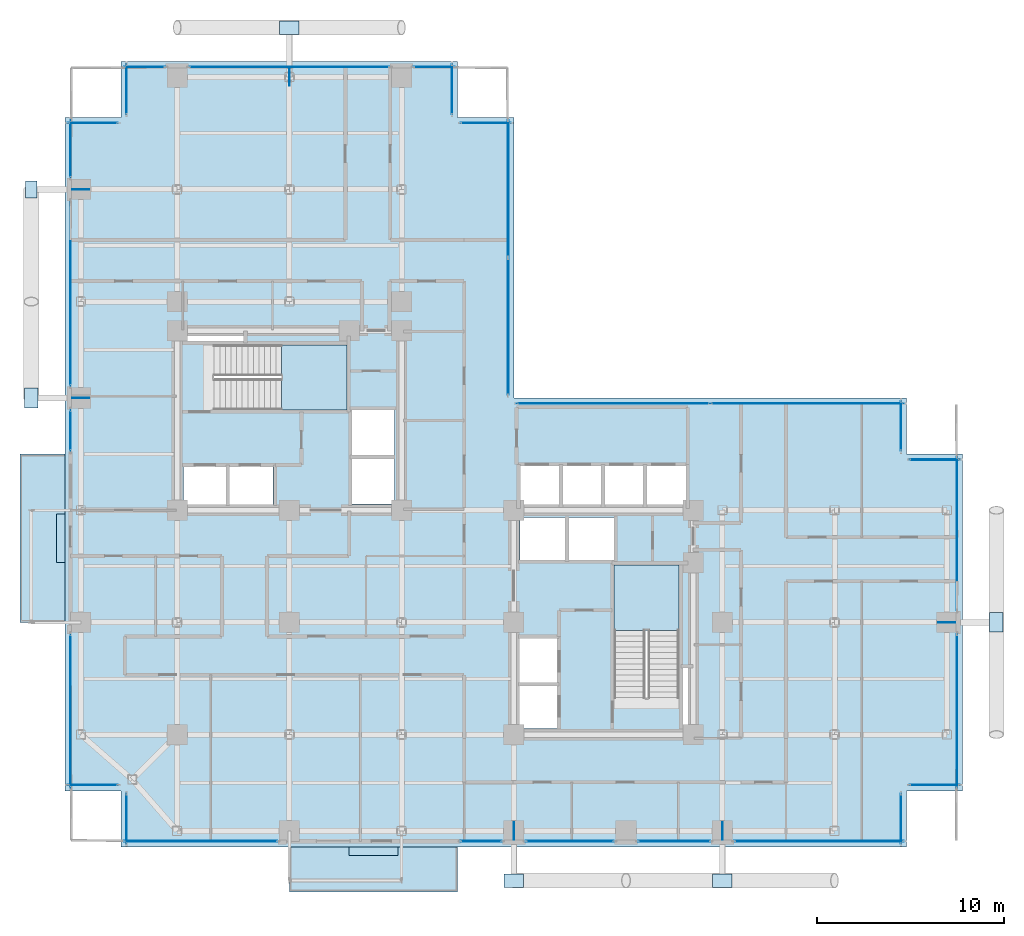
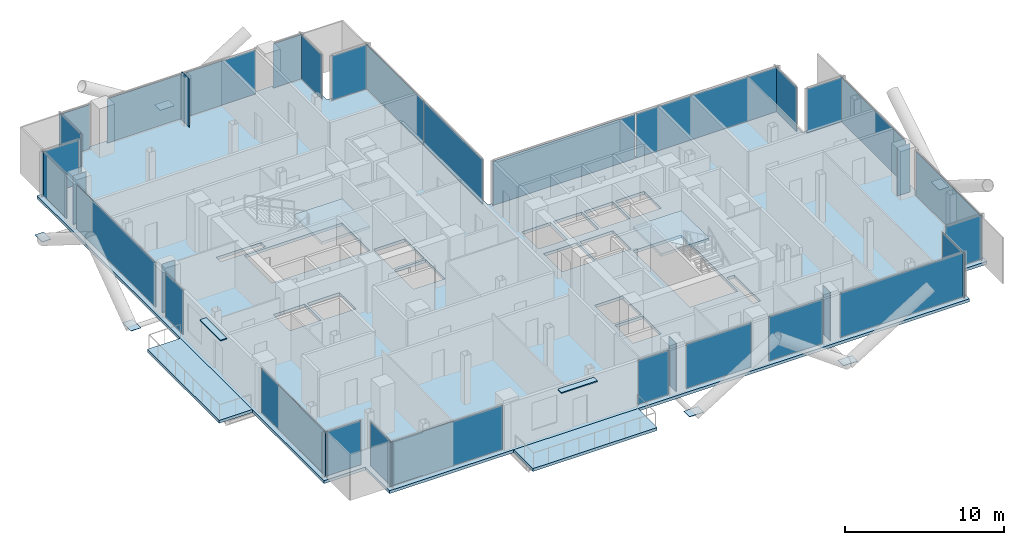
# One storey, part 17 of 24: 42 plates, 5 slabs, 28 elements without a shape of their own.
"""IFC4 building model written with IfcOpenShell, lengths in metres."""

from ifc_helpers import new_model, si_unit, direction, frame, origin, origin_2d, place, context, subcontext, project, spatial, polyline, rectangle, outline, extrude, material, layer, layer_set, type_object, element, aggregate, save


model = new_model("IFC4")

# Units and contexts
model_context = context("Model", 3, precision=1e-05, world=origin(), true_north=direction((0.0, 1.0)))
body_context = subcontext(model_context, "Body", "Model", "MODEL_VIEW")
ifc_project = project(units=[si_unit("LENGTHUNIT", "METRE"), si_unit("AREAUNIT", "SQUARE_METRE"), si_unit("VOLUMEUNIT", "CUBIC_METRE"), si_unit("PLANEANGLEUNIT", "RADIAN"), si_unit("MASSUNIT", "GRAM", prefix="KILO"), si_unit("THERMODYNAMICTEMPERATUREUNIT", "KELVIN"), si_unit("POWERUNIT", "WATT")], contexts=[model_context])

# Site, building, storey
site_placement = place(None, origin())
site = spatial("IfcSite", under=ifc_project, at=site_placement, CompositionType="ELEMENT")
building_placement = place(site_placement, origin())
building = spatial("IfcBuilding", under=site, at=building_placement, Name="Svarakhadi Broadcast Tower", CompositionType="ELEMENT")
storey_placement = place(building_placement, frame((0.0, 0.0, 145.64990234375)))
storey = spatial("IfcBuildingStorey", under=building, at=storey_placement, Name="L35", CompositionType="ELEMENT", Elevation=145.64990234375)

# Curtain wall, plate
ifc_material_1 = material(Name="Anodised Bronze Aluminium AA 6063-T6", Category="aluminium")
ifc_layer_1 = layer(ifc_material_1, 0.199951171875)
ifc_layer_set_1 = layer_set([ifc_layer_1], Name="Anodised Bronze Aluminium AA 6063-T6")
curtain_wall_type = type_object("IfcCurtainWallType", Name="CW_Sys_03", PredefinedType="NOTDEFINED", material=ifc_layer_set_1)
curtain_wall_1_placement = place(storey_placement, origin())
curtain_wall_1 = element("IfcCurtainWall", 1, at=curtain_wall_1_placement, inside=storey, type_object=curtain_wall_type, Name="L35 Unitised Facade Curtain Wall 01", PredefinedType="NOTDEFINED")
ifc_material_2 = material(Name="Double Low-E Laminated Acoustic Glass IGU 36 mm", Category="glass")
ifc_layer_2 = layer(ifc_material_2, 0.035888671875)
ifc_layer_set_2 = layer_set([ifc_layer_2], Name="Double Low-E Laminated Acoustic Glass IGU 36 mm")
plate_type_1 = type_object("IfcPlateType", Name="CW_Sys_03_Pnl", PredefinedType="CURTAIN_PANEL", material=ifc_layer_set_2)
plate_1_placement = place(storey_placement, frame((1.5, 3.300048828125, 0.0703125), z_axis=(0.0, 0.0, 1.0), x_axis=(-1.0, 0.0, 0.0)))
plate_1 = element("IfcPlate", 2, at=plate_1_placement, type_object=plate_type_1, Name="CW-03 panel 1.1", PredefinedType="CURTAIN_PANEL", context=body_context, shape_type="SweptSolid", body=[
    extrude(rectangle(XDim=2.669921875, YDim=0.035888671875, at=origin_2d()), origin(), (0.0, 0.0, 1.0), 3.385009765625),
])
aggregate(curtain_wall_1, [plate_1])

curtain_wall_2_placement = place(storey_placement, origin())
curtain_wall_2 = element("IfcCurtainWall", 3, at=curtain_wall_2_placement, inside=storey, type_object=curtain_wall_type, Name="L35 West Curtain Wall 02", PredefinedType="NOTDEFINED")
plate_2_placement = place(storey_placement, frame((0.300048828125, 7.260009765625, 0.0703125), z_axis=(0.0, 0.0, 1.0), x_axis=(0.0, 1.0, 0.0)))
plate_2 = element("IfcPlate", 4, at=plate_2_placement, type_object=plate_type_1, Name="CW-03 panel 1.1", PredefinedType="CURTAIN_PANEL", context=body_context, shape_type="SweptSolid", body=[
    extrude(rectangle(XDim=8.18994140625, YDim=0.035888671875, at=origin_2d()), origin(), (0.0, 0.0, 1.0), 3.385009765625),
])
aggregate(curtain_wall_2, [plate_2])

curtain_wall_3_placement = place(storey_placement, origin())
curtain_wall_3 = element("IfcCurtainWall", 5, at=curtain_wall_3_placement, inside=storey, type_object=curtain_wall_type, Name="L35 West Curtain Wall 03 Bay 1", PredefinedType="NOTDEFINED")
plate_3_placement = place(storey_placement, frame((0.300048828125, 22.260009765625, 0.0703125), z_axis=(0.0, 0.0, 1.0), x_axis=(0.0, 1.0, 0.0)))
plate_3 = element("IfcPlate", 6, at=plate_3_placement, type_object=plate_type_1, Name="CW-03 panel 1.1", PredefinedType="CURTAIN_PANEL", context=body_context, shape_type="SweptSolid", body=[
    extrude(rectangle(XDim=2.18994140625, YDim=0.035888671875, at=origin_2d()), origin(), (0.0, 0.0, 1.0), 3.385009765625),
])
aggregate(curtain_wall_3, [plate_3])

curtain_wall_4_placement = place(storey_placement, origin())
curtain_wall_4 = element("IfcCurtainWall", 7, at=curtain_wall_4_placement, inside=storey, type_object=curtain_wall_type, Name="L35 West Curtain Wall 03 Bay 2", PredefinedType="NOTDEFINED")
plate_4_placement = place(storey_placement, frame((0.300048828125, 29.574951171875, 0.0703125), z_axis=(0.0, 0.0, 1.0), x_axis=(0.0, 1.0, 0.0)))
plate_4 = element("IfcPlate", 8, at=plate_4_placement, type_object=plate_type_1, Name="CW-03 panel 1.1", PredefinedType="CURTAIN_PANEL", context=body_context, shape_type="SweptSolid", body=[
    extrude(rectangle(XDim=9.860107421875, YDim=0.035888671875, at=origin_2d()), origin(), (0.0, 0.0, 1.0), 3.385009765625),
])
aggregate(curtain_wall_4, [plate_4])

curtain_wall_5_placement = place(storey_placement, origin())
curtain_wall_5 = element("IfcCurtainWall", 9, at=curtain_wall_5_placement, inside=storey, type_object=curtain_wall_type, Name="L35 West Curtain Wall 03 Bay 3", PredefinedType="NOTDEFINED")
plate_5_placement = place(storey_placement, frame((0.300048828125, 37.31494140625, 0.0703125), z_axis=(0.0, 0.0, 1.0), x_axis=(0.0, 1.0, 0.0)))
plate_5 = element("IfcPlate", 10, at=plate_5_placement, type_object=plate_type_1, Name="CW-03 panel 1.1", PredefinedType="CURTAIN_PANEL", context=body_context, shape_type="SweptSolid", body=[
    extrude(rectangle(XDim=3.0400390625, YDim=0.035888671875, at=origin_2d()), origin(), (0.0, 0.0, 1.0), 3.385009765625),
])
aggregate(curtain_wall_5, [plate_5])

curtain_wall_6_placement = place(storey_placement, origin())
curtain_wall_6 = element("IfcCurtainWall", 11, at=curtain_wall_6_placement, inside=storey, type_object=curtain_wall_type, Name="L35 Unitised Facade Curtain Wall 04", PredefinedType="NOTDEFINED")
plate_6_placement = place(storey_placement, frame((1.5, 38.699951171875, 0.0703125), z_axis=(0.0, 0.0, 1.0), x_axis=(1.0, 0.0, 0.0)))
plate_6 = element("IfcPlate", 12, at=plate_6_placement, type_object=plate_type_1, Name="CW-03 panel 1.1", PredefinedType="CURTAIN_PANEL", context=body_context, shape_type="SweptSolid", body=[
    extrude(rectangle(XDim=2.669921875, YDim=0.035888671875, at=origin_2d()), origin(), (0.0, 0.0, 1.0), 3.385009765625),
])
aggregate(curtain_wall_6, [plate_6])

curtain_wall_7_placement = place(storey_placement, origin())
curtain_wall_7 = element("IfcCurtainWall", 13, at=curtain_wall_7_placement, inside=storey, type_object=curtain_wall_type, Name="L35 Unitised Facade Curtain Wall 05", PredefinedType="NOTDEFINED")
plate_7_placement = place(storey_placement, frame((3.300048828125, 40.5, 0.0703125), z_axis=(0.0, 0.0, 1.0), x_axis=(0.0, 1.0, 0.0)))
plate_7 = element("IfcPlate", 14, at=plate_7_placement, type_object=plate_type_1, Name="CW-03 panel 1.1", PredefinedType="CURTAIN_PANEL", context=body_context, shape_type="SweptSolid", body=[
    extrude(rectangle(XDim=2.669921875, YDim=0.035888671875, at=origin_2d()), origin(), (0.0, 0.0, 1.0), 3.385009765625),
])
aggregate(curtain_wall_7, [plate_7])

curtain_wall_8_placement = place(storey_placement, origin())
curtain_wall_8 = element("IfcCurtainWall", 15, at=curtain_wall_8_placement, inside=storey, type_object=curtain_wall_type, Name="L35 Unitised Facade Curtain Wall 06 Bay 1", PredefinedType="NOTDEFINED")
plate_8_placement = place(storey_placement, frame((4.260009765625, 41.699951171875, 0.0703125), z_axis=(0.0, 0.0, 1.0), x_axis=(1.0, 0.0, 0.0)))
plate_8 = element("IfcPlate", 16, at=plate_8_placement, type_object=plate_type_1, Name="CW-03 panel 1.1", PredefinedType="CURTAIN_PANEL", context=body_context, shape_type="SweptSolid", body=[
    extrude(rectangle(XDim=2.18994140625, YDim=0.035888671875, at=origin_2d()), origin(), (0.0, 0.0, 1.0), 3.385009765625),
])
aggregate(curtain_wall_8, [plate_8])

curtain_wall_9_placement = place(storey_placement, origin())
curtain_wall_9 = element("IfcCurtainWall", 17, at=curtain_wall_9_placement, inside=storey, type_object=curtain_wall_type, Name="L35 Unitised Facade Curtain Wall 06 Bay 2", PredefinedType="NOTDEFINED")
plate_9_placement = place(storey_placement, frame((12.0, 41.699951171875, 0.0703125), z_axis=(0.0, 0.0, 1.0), x_axis=(1.0, 0.0, 0.0)))
plate_9 = element("IfcPlate", 18, at=plate_9_placement, type_object=plate_type_1, Name="CW-03 panel 1.1", PredefinedType="CURTAIN_PANEL", context=body_context, shape_type="SweptSolid", body=[
    extrude(rectangle(XDim=10.7099609375, YDim=0.035888671875, at=origin_2d()), origin(), (0.0, 0.0, 1.0), 3.385009765625),
])
aggregate(curtain_wall_9, [plate_9])

curtain_wall_10_placement = place(storey_placement, origin())
curtain_wall_10 = element("IfcCurtainWall", 19, at=curtain_wall_10_placement, inside=storey, type_object=curtain_wall_type, Name="L35 Unitised Facade Curtain Wall 06 Bay 3", PredefinedType="NOTDEFINED")
plate_10_placement = place(storey_placement, frame((19.739990234375, 41.699951171875, 0.0703125), z_axis=(0.0, 0.0, 1.0), x_axis=(1.0, 0.0, 0.0)))
plate_10 = element("IfcPlate", 20, at=plate_10_placement, type_object=plate_type_1, Name="CW-03 panel 1.1", PredefinedType="CURTAIN_PANEL", context=body_context, shape_type="SweptSolid", body=[
    extrude(rectangle(XDim=2.18994140625, YDim=0.035888671875, at=origin_2d()), origin(), (0.0, 0.0, 1.0), 3.385009765625),
])
aggregate(curtain_wall_10, [plate_10])

curtain_wall_11_placement = place(storey_placement, origin())
curtain_wall_11 = element("IfcCurtainWall", 21, at=curtain_wall_11_placement, inside=storey, type_object=curtain_wall_type, Name="L35 Unitised Facade Curtain Wall 07", PredefinedType="NOTDEFINED")
plate_11_placement = place(storey_placement, frame((20.699951171875, 40.5, 0.0703125), z_axis=(0.0, 0.0, 1.0), x_axis=(0.0, -1.0, 0.0)))
plate_11 = element("IfcPlate", 22, at=plate_11_placement, type_object=plate_type_1, Name="CW-03 panel 1.1", PredefinedType="CURTAIN_PANEL", context=body_context, shape_type="SweptSolid", body=[
    extrude(rectangle(XDim=2.669921875, YDim=0.035888671875, at=origin_2d()), origin(), (0.0, 0.0, 1.0), 3.385009765625),
])
aggregate(curtain_wall_11, [plate_11])

curtain_wall_12_placement = place(storey_placement, origin())
curtain_wall_12 = element("IfcCurtainWall", 23, at=curtain_wall_12_placement, inside=storey, type_object=curtain_wall_type, Name="L35 Unitised Facade Curtain Wall 08", PredefinedType="NOTDEFINED")
plate_12_placement = place(storey_placement, frame((22.5, 38.699951171875, 0.0703125), z_axis=(0.0, 0.0, 1.0), x_axis=(1.0, 0.0, 0.0)))
plate_12 = element("IfcPlate", 24, at=plate_12_placement, type_object=plate_type_1, Name="CW-03 panel 1.1", PredefinedType="CURTAIN_PANEL", context=body_context, shape_type="SweptSolid", body=[
    extrude(rectangle(XDim=2.669921875, YDim=0.035888671875, at=origin_2d()), origin(), (0.0, 0.0, 1.0), 3.385009765625),
])
aggregate(curtain_wall_12, [plate_12])

# Curtain wall, plates
curtain_wall_13_placement = place(storey_placement, origin())
curtain_wall_13 = element("IfcCurtainWall", 25, at=curtain_wall_13_placement, inside=storey, type_object=curtain_wall_type, Name="L35 Unitised Facade Curtain Wall 09", PredefinedType="NOTDEFINED")
plate_13_placement = place(storey_placement, frame((23.699951171875, 35.186279296875, 0.0703125), z_axis=(0.0, 0.0, 1.0), x_axis=(0.0, -1.0, 0.0)))
plate_13 = element("IfcPlate", 26, at=plate_13_placement, type_object=plate_type_1, Name="CW-03 panel 1.1", PredefinedType="CURTAIN_PANEL", context=body_context, shape_type="SweptSolid", body=[
    extrude(rectangle(XDim=7.297607421875, YDim=0.035888671875, at=origin_2d()), origin(), (0.0, 0.0, 1.0), 3.385009765625),
])
plate_14_placement = place(storey_placement, frame((23.699951171875, 27.813720703125, 0.0703125), z_axis=(0.0, 0.0, 1.0), x_axis=(0.0, -1.0, 0.0)))
plate_14 = element("IfcPlate", 27, at=plate_14_placement, type_object=plate_type_1, Name="CW-03 panel 2.1", PredefinedType="CURTAIN_PANEL", context=body_context, shape_type="SweptSolid", body=[
    extrude(rectangle(XDim=7.297607421875, YDim=0.035888671875, at=origin_2d()), origin(), (0.0, 0.0, 1.0), 3.385009765625),
])
aggregate(curtain_wall_13, [plate_13, plate_14])

curtain_wall_14_placement = place(storey_placement, origin())
curtain_wall_14 = element("IfcCurtainWall", 28, at=curtain_wall_14_placement, inside=storey, type_object=curtain_wall_type, Name="L35 Unitised Facade Curtain Wall 10", PredefinedType="NOTDEFINED")
plate_15_placement = place(storey_placement, frame((29.313720703125, 23.699951171875, 0.0703125), z_axis=(0.0, 0.0, 1.0), x_axis=(1.0, 0.0, 0.0)))
plate_15 = element("IfcPlate", 29, at=plate_15_placement, type_object=plate_type_1, Name="CW-03 panel 1.1", PredefinedType="CURTAIN_PANEL", context=body_context, shape_type="SweptSolid", body=[
    extrude(rectangle(XDim=10.297607421875, YDim=0.035888671875, at=origin_2d()), origin(), (0.0, 0.0, 1.0), 3.385009765625),
])
plate_16_placement = place(storey_placement, frame((39.686279296875, 23.699951171875, 0.0703125), z_axis=(0.0, 0.0, 1.0), x_axis=(1.0, 0.0, 0.0)))
plate_16 = element("IfcPlate", 30, at=plate_16_placement, type_object=plate_type_1, Name="CW-03 panel 2.1", PredefinedType="CURTAIN_PANEL", context=body_context, shape_type="SweptSolid", body=[
    extrude(rectangle(XDim=10.297607421875, YDim=0.035888671875, at=origin_2d()), origin(), (0.0, 0.0, 1.0), 3.385009765625),
])
aggregate(curtain_wall_14, [plate_15, plate_16])

# Curtain wall, plate
curtain_wall_15_placement = place(storey_placement, origin())
curtain_wall_15 = element("IfcCurtainWall", 31, at=curtain_wall_15_placement, inside=storey, type_object=curtain_wall_type, Name="L35 Unitised Facade Curtain Wall 11", PredefinedType="NOTDEFINED")
plate_17_placement = place(storey_placement, frame((44.699951171875, 22.5, 0.0703125), z_axis=(0.0, 0.0, 1.0), x_axis=(0.0, -1.0, 0.0)))
plate_17 = element("IfcPlate", 32, at=plate_17_placement, type_object=plate_type_1, Name="CW-03 panel 1.1", PredefinedType="CURTAIN_PANEL", context=body_context, shape_type="SweptSolid", body=[
    extrude(rectangle(XDim=2.669921875, YDim=0.035888671875, at=origin_2d()), origin(), (0.0, 0.0, 1.0), 3.385009765625),
])
aggregate(curtain_wall_15, [plate_17])

curtain_wall_16_placement = place(storey_placement, origin())
curtain_wall_16 = element("IfcCurtainWall", 33, at=curtain_wall_16_placement, inside=storey, type_object=curtain_wall_type, Name="L35 Unitised Facade Curtain Wall 12", PredefinedType="NOTDEFINED")
plate_18_placement = place(storey_placement, frame((46.5, 20.699951171875, 0.0703125), z_axis=(0.0, 0.0, 1.0), x_axis=(1.0, 0.0, 0.0)))
plate_18 = element("IfcPlate", 34, at=plate_18_placement, type_object=plate_type_1, Name="CW-03 panel 1.1", PredefinedType="CURTAIN_PANEL", context=body_context, shape_type="SweptSolid", body=[
    extrude(rectangle(XDim=2.669921875, YDim=0.035888671875, at=origin_2d()), origin(), (0.0, 0.0, 1.0), 3.385009765625),
])
aggregate(curtain_wall_16, [plate_18])

curtain_wall_17_placement = place(storey_placement, origin())
curtain_wall_17 = element("IfcCurtainWall", 35, at=curtain_wall_17_placement, inside=storey, type_object=curtain_wall_type, Name="L35 Unitised Facade Curtain Wall 13 Bay 1", PredefinedType="NOTDEFINED")
plate_19_placement = place(storey_placement, frame((47.699951171875, 16.739990234375, 0.0703125), z_axis=(0.0, 0.0, 1.0), x_axis=(0.0, -1.0, 0.0)))
plate_19 = element("IfcPlate", 36, at=plate_19_placement, type_object=plate_type_1, Name="CW-03 panel 1.1", PredefinedType="CURTAIN_PANEL", context=body_context, shape_type="SweptSolid", body=[
    extrude(rectangle(XDim=8.18994140625, YDim=0.035888671875, at=origin_2d()), origin(), (0.0, 0.0, 1.0), 3.385009765625),
])
aggregate(curtain_wall_17, [plate_19])

curtain_wall_18_placement = place(storey_placement, origin())
curtain_wall_18 = element("IfcCurtainWall", 37, at=curtain_wall_18_placement, inside=storey, type_object=curtain_wall_type, Name="L35 Unitised Facade Curtain Wall 13 Bay 2", PredefinedType="NOTDEFINED")
plate_20_placement = place(storey_placement, frame((47.699951171875, 7.260009765625, 0.0703125), z_axis=(0.0, 0.0, 1.0), x_axis=(0.0, -1.0, 0.0)))
plate_20 = element("IfcPlate", 38, at=plate_20_placement, type_object=plate_type_1, Name="CW-03 panel 1.1", PredefinedType="CURTAIN_PANEL", context=body_context, shape_type="SweptSolid", body=[
    extrude(rectangle(XDim=8.18994140625, YDim=0.035888671875, at=origin_2d()), origin(), (0.0, 0.0, 1.0), 3.385009765625),
])
aggregate(curtain_wall_18, [plate_20])

curtain_wall_19_placement = place(storey_placement, origin())
curtain_wall_19 = element("IfcCurtainWall", 39, at=curtain_wall_19_placement, inside=storey, type_object=curtain_wall_type, Name="L35 Unitised Facade Curtain Wall 14", PredefinedType="NOTDEFINED")
plate_21_placement = place(storey_placement, frame((46.5, 3.300048828125, 0.0703125), z_axis=(0.0, 0.0, 1.0), x_axis=(-1.0, 0.0, 0.0)))
plate_21 = element("IfcPlate", 40, at=plate_21_placement, type_object=plate_type_1, Name="CW-03 panel 1.1", PredefinedType="CURTAIN_PANEL", context=body_context, shape_type="SweptSolid", body=[
    extrude(rectangle(XDim=2.669921875, YDim=0.035888671875, at=origin_2d()), origin(), (0.0, 0.0, 1.0), 3.385009765625),
])
aggregate(curtain_wall_19, [plate_21])

curtain_wall_20_placement = place(storey_placement, origin())
curtain_wall_20 = element("IfcCurtainWall", 41, at=curtain_wall_20_placement, inside=storey, type_object=curtain_wall_type, Name="L35 Unitised Facade Curtain Wall 15", PredefinedType="NOTDEFINED")
plate_22_placement = place(storey_placement, frame((44.699951171875, 1.5, 0.0703125), z_axis=(0.0, 0.0, 1.0), x_axis=(0.0, -1.0, 0.0)))
plate_22 = element("IfcPlate", 42, at=plate_22_placement, type_object=plate_type_1, Name="CW-03 panel 1.1", PredefinedType="CURTAIN_PANEL", context=body_context, shape_type="SweptSolid", body=[
    extrude(rectangle(XDim=2.669921875, YDim=0.035888671875, at=origin_2d()), origin(), (0.0, 0.0, 1.0), 3.385009765625),
])
aggregate(curtain_wall_20, [plate_22])

curtain_wall_21_placement = place(storey_placement, origin())
curtain_wall_21 = element("IfcCurtainWall", 43, at=curtain_wall_21_placement, inside=storey, type_object=curtain_wall_type, Name="L35 South Curtain Wall 16 Bay 1", PredefinedType="NOTDEFINED")
plate_23_placement = place(storey_placement, frame((40.31494140625, 0.300048828125, 0.0703125), z_axis=(0.0, 0.0, 1.0), x_axis=(-1.0, 0.0, 0.0)))
plate_23 = element("IfcPlate", 44, at=plate_23_placement, type_object=plate_type_1, Name="CW-03 panel 1.1", PredefinedType="CURTAIN_PANEL", context=body_context, shape_type="SweptSolid", body=[
    extrude(rectangle(XDim=9.0400390625, YDim=0.035888671875, at=origin_2d()), origin(), (0.0, 0.0, 1.0), 3.385009765625),
])
aggregate(curtain_wall_21, [plate_23])

curtain_wall_22_placement = place(storey_placement, origin())
curtain_wall_22 = element("IfcCurtainWall", 45, at=curtain_wall_22_placement, inside=storey, type_object=curtain_wall_type, Name="L35 South Curtain Wall 16 Bay 2", PredefinedType="NOTDEFINED")
plate_24_placement = place(storey_placement, frame((32.574951171875, 0.300048828125, 0.0703125), z_axis=(0.0, 0.0, 1.0), x_axis=(-1.0, 0.0, 0.0)))
plate_24 = element("IfcPlate", 46, at=plate_24_placement, type_object=plate_type_1, Name="CW-03 panel 1.1", PredefinedType="CURTAIN_PANEL", context=body_context, shape_type="SweptSolid", body=[
    extrude(rectangle(XDim=3.860107421875, YDim=0.035888671875, at=origin_2d()), origin(), (0.0, 0.0, 1.0), 3.385009765625),
])
aggregate(curtain_wall_22, [plate_24])

curtain_wall_23_placement = place(storey_placement, origin())
curtain_wall_23 = element("IfcCurtainWall", 47, at=curtain_wall_23_placement, inside=storey, type_object=curtain_wall_type, Name="L35 South Curtain Wall 16 Bay 3", PredefinedType="NOTDEFINED")
plate_25_placement = place(storey_placement, frame((27.0, 0.300048828125, 0.0703125), z_axis=(0.0, 0.0, 1.0), x_axis=(-1.0, 0.0, 0.0)))
plate_25 = element("IfcPlate", 48, at=plate_25_placement, type_object=plate_type_1, Name="CW-03 panel 1.1", PredefinedType="CURTAIN_PANEL", context=body_context, shape_type="SweptSolid", body=[
    extrude(rectangle(XDim=4.7099609375, YDim=0.035888671875, at=origin_2d()), origin(), (0.0, 0.0, 1.0), 3.385009765625),
])
aggregate(curtain_wall_23, [plate_25])

curtain_wall_24_placement = place(storey_placement, origin())
curtain_wall_24 = element("IfcCurtainWall", 49, at=curtain_wall_24_placement, inside=storey, type_object=curtain_wall_type, Name="L35 South Curtain Wall 16 Bay 4", PredefinedType="NOTDEFINED")
plate_26_placement = place(storey_placement, frame((22.260009765625, 0.300048828125, 0.0703125), z_axis=(0.0, 0.0, 1.0), x_axis=(-1.0, 0.0, 0.0)))
plate_26 = element("IfcPlate", 50, at=plate_26_placement, type_object=plate_type_1, Name="CW-03 panel 1.1", PredefinedType="CURTAIN_PANEL", context=body_context, shape_type="SweptSolid", body=[
    extrude(rectangle(XDim=2.18994140625, YDim=0.035888671875, at=origin_2d()), origin(), (0.0, 0.0, 1.0), 3.385009765625),
])
aggregate(curtain_wall_24, [plate_26])

curtain_wall_25_placement = place(storey_placement, origin())
curtain_wall_25 = element("IfcCurtainWall", 51, at=curtain_wall_25_placement, inside=storey, type_object=curtain_wall_type, Name="L35 South Curtain Wall 17", PredefinedType="NOTDEFINED")
plate_27_placement = place(storey_placement, frame((7.260009765625, 0.300048828125, 0.0703125), z_axis=(0.0, 0.0, 1.0), x_axis=(-1.0, 0.0, 0.0)))
plate_27 = element("IfcPlate", 52, at=plate_27_placement, type_object=plate_type_1, Name="CW-03 panel 1.1", PredefinedType="CURTAIN_PANEL", context=body_context, shape_type="SweptSolid", body=[
    extrude(rectangle(XDim=8.18994140625, YDim=0.035888671875, at=origin_2d()), origin(), (0.0, 0.0, 1.0), 3.385009765625),
])
aggregate(curtain_wall_25, [plate_27])

curtain_wall_26_placement = place(storey_placement, origin())
curtain_wall_26 = element("IfcCurtainWall", 53, at=curtain_wall_26_placement, inside=storey, type_object=curtain_wall_type, Name="L35 Unitised Facade Curtain Wall 18", PredefinedType="NOTDEFINED")
plate_28_placement = place(storey_placement, frame((3.300048828125, 1.5, 0.0703125), z_axis=(0.0, 0.0, 1.0), x_axis=(0.0, 1.0, 0.0)))
plate_28 = element("IfcPlate", 54, at=plate_28_placement, type_object=plate_type_1, Name="CW-03 panel 1.1", PredefinedType="CURTAIN_PANEL", context=body_context, shape_type="SweptSolid", body=[
    extrude(rectangle(XDim=2.669921875, YDim=0.035888671875, at=origin_2d()), origin(), (0.0, 0.0, 1.0), 3.385009765625),
])
aggregate(curtain_wall_26, [plate_28])

# Plates
ifc_material_3 = material(Name="Steel S460ML (IS 2062 E450BR)", Category="steel")
ifc_layer_3 = layer(ifc_material_3, 0.031982421875)
ifc_layer_set_3 = layer_set([ifc_layer_3], Name="Steel S460ML (IS 2062 E450BR)")
plate_type_2 = type_object("IfcPlateType", Name="Node_Gusset_N02", PredefinedType="SHEET", material=ifc_layer_set_3)
for number, where, z_axis, x_axis, name in (
    (55, (24.0, -1.800048828125, -0.22509765625), (0.0, 0.0, 1.0), (1.0, 0.0, 0.0), "L35 Exoskeleton Gusset Node Plate S01"),
    (56, (35.14990234375, -1.800048828125, -0.22509765625), (0.0, 0.0, 1.0), (1.0, 0.0, 0.0), "L35 Exoskeleton Gusset Node Plate S02"),
    (57, (-1.800048828125, 24.0, -0.22509765625), (0.0, 0.0, 1.0), (0.0, 1.0, 0.0), "L35 Exoskeleton Gusset Node Plate W03"),
    (58, (49.800048828125, 12.0, -0.22509765625), (0.0, 0.0, 1.0), (0.0, 1.0, 0.0), "L35 Exoskeleton Gusset Node Plate E05"),
    (59, (12.0, 43.800048828125, -0.22509765625), (0.0, 0.0, 1.0), (1.0, 0.0, 0.0), "L35 Exoskeleton Gusset Node Plate N06"),
):
    element("IfcPlate", number, at=place(storey_placement, frame(where, z_axis=z_axis, x_axis=x_axis)), inside=storey, type_object=plate_type_2, Name=name, PredefinedType="SHEET", context=body_context, shape_type="SweptSolid", body=[
        extrude(rectangle(XDim=1.050048828125, YDim=0.719970703125, at=origin_2d()), origin(), (0.0, 0.0, 1.0), 0.031982421875),
    ])
ifc_layer_4 = layer(ifc_material_3, 0.02587890625)
ifc_layer_set_4 = layer_set([ifc_layer_4], Name="Steel S460ML (IS 2062 E450BR)")
plate_type_3 = type_object("IfcPlateType", Name="Node_Gusset_N07", PredefinedType="SHEET", material=ifc_layer_set_4)
plate_29_placement = place(storey_placement, frame((-1.800048828125, 35.14990234375, -0.224853515625), z_axis=(0.0, 0.0, 1.0), x_axis=(0.0, 1.0, 0.0)))
element("IfcPlate", 60, at=plate_29_placement, inside=storey, type_object=plate_type_3, Name="L35 Exoskeleton Gusset Node Plate W04", PredefinedType="SHEET", context=body_context, shape_type="SweptSolid", body=[
    extrude(rectangle(XDim=0.919921875, YDim=0.6201171875, at=origin_2d()), origin(), (0.0, 0.0, 1.0), 0.02587890625),
])
for number, where, z_axis, x_axis, name in (
    (61, (24.0, 0.85009765625, -0.5869140625), (0.0, 0.0, 1.0), (0.0, 1.0, 0.0), "L35 Brace End Connection Gusset Plate N-07-E0287"),
    (62, (35.14990234375, 0.85009765625, -0.5869140625), (0.0, 0.0, 1.0), (0.0, 1.0, 0.0), "L35 Brace End Connection Gusset Plate N-07-E0288"),
    (63, (0.85009765625, 24.0, -0.5869140625), (0.0, 0.0, 1.0), (1.0, 0.0, 0.0), "L35 Brace End Connection Gusset Plate N-07-E0289"),
    (64, (0.85009765625, 35.14990234375, -0.5869140625), (0.0, 0.0, 1.0), (1.0, 0.0, 0.0), "L35 Brace End Connection Gusset Plate N-07-E0290"),
    (65, (47.14990234375, 12.0, -0.5869140625), (0.0, 0.0, 1.0), (1.0, 0.0, 0.0), "L35 Brace End Connection Gusset Plate N-07-E0291"),
    (66, (12.0, 41.14990234375, -0.5869140625), (0.0, 0.0, 1.0), (0.0, 1.0, 0.0), "L35 Brace End Connection Gusset Plate N-07-E0292"),
):
    element("IfcPlate", number, at=place(storey_placement, frame(where, z_axis=z_axis, x_axis=x_axis)), inside=storey, type_object=plate_type_3, Name=name, PredefinedType="SHEET", context=body_context, shape_type="SweptSolid", body=[
        extrude(rectangle(XDim=0.919921875, YDim=0.02587890625, at=origin_2d()), origin(), (0.0, 0.0, 1.0), 4.300048828125),
    ])

# Slab
ifc_material_4 = material(Name="Concrete C40/50 (IS 456 M50)", Category="concrete")
ifc_layer_5 = layer(ifc_material_4, 0.22509765625)
ifc_layer_set_5 = layer_set([ifc_layer_5], Name="Concrete C40/50 (IS 456 M50)")
slab_type_1 = type_object("IfcSlabType", Name="Slab_Floor_225", PredefinedType="FLOOR", material=ifc_layer_set_5)
slab_1_placement = place(storey_placement, frame((0.0, 0.0, -0.224853515625)))
element("IfcSlab", 67, at=slab_1_placement, inside=storey, type_object=slab_type_1, Name="L35 Structural Floor Slab", PredefinedType="FLOOR", context=body_context, shape_type="SweptSolid", body=[
    extrude(outline(polyline([(3.0, 0.0), (45.0, 0.0), (45.0, 3.0), (48.0, 3.0), (48.0, 21.0), (45.0, 21.0), (45.0, 24.0), (24.0, 24.0), (24.0, 39.0), (21.0, 39.0), (21.0, 42.0), (3.0, 42.0), (3.0, 39.0), (0.0, 39.0), (0.0, 3.0), (3.0, 3.0), (3.0, 0.0)]), holes=[polyline([(7.97998046875, 23.360107421875), (15.080078125, 23.360107421875), (15.080078125, 26.840087890625), (7.97998046875, 26.840087890625), (7.97998046875, 23.360107421875)]), polyline([(32.840087890625, 7.97998046875), (32.840087890625, 15.080078125), (29.360107421875, 15.080078125), (29.360107421875, 7.97998046875), (32.840087890625, 7.97998046875)]), polyline([(6.340087890625, 18.2900390625), (8.610107421875, 18.2900390625), (8.610107421875, 20.330078125), (6.340087890625, 20.330078125), (6.340087890625, 18.2900390625)]), polyline([(8.7900390625, 18.2900390625), (11.1298828125, 18.2900390625), (11.1298828125, 20.330078125), (8.7900390625, 20.330078125), (8.7900390625, 18.2900390625)]), polyline([(24.2900390625, 6.340087890625), (26.330078125, 6.340087890625), (26.330078125, 8.610107421875), (24.2900390625, 8.610107421875), (24.2900390625, 6.340087890625)]), polyline([(24.2900390625, 8.7900390625), (26.330078125, 8.7900390625), (26.330078125, 11.1298828125), (24.2900390625, 11.1298828125), (24.2900390625, 8.7900390625)]), polyline([(6.340087890625, 26.989990234375), (9.610107421875, 26.989990234375), (9.610107421875, 27.530029296875), (6.340087890625, 27.530029296875), (6.340087890625, 26.989990234375)]), polyline([(32.989990234375, 6.340087890625), (33.530029296875, 6.340087890625), (33.530029296875, 9.610107421875), (32.989990234375, 9.610107421875), (32.989990234375, 6.340087890625)]), polyline([(15.340087890625, 18.340087890625), (17.610107421875, 18.340087890625), (17.610107421875, 20.760009765625), (15.340087890625, 20.760009765625), (15.340087890625, 18.340087890625)]), polyline([(15.340087890625, 20.93994140625), (17.610107421875, 20.93994140625), (17.610107421875, 23.360107421875), (15.340087890625, 23.360107421875), (15.340087890625, 20.93994140625)]), polyline([(24.340087890625, 15.340087890625), (26.760009765625, 15.340087890625), (26.760009765625, 17.610107421875), (24.340087890625, 17.610107421875), (24.340087890625, 15.340087890625)]), polyline([(26.93994140625, 15.340087890625), (29.360107421875, 15.340087890625), (29.360107421875, 17.610107421875), (26.93994140625, 17.610107421875), (26.93994140625, 15.340087890625)]), polyline([(24.340087890625, 18.239990234375), (26.429931640625, 18.239990234375), (26.429931640625, 20.360107421875), (24.340087890625, 20.360107421875), (24.340087890625, 18.239990234375)]), polyline([(26.610107421875, 18.239990234375), (28.679931640625, 18.239990234375), (28.679931640625, 20.360107421875), (26.610107421875, 20.360107421875), (26.610107421875, 18.239990234375)]), polyline([(28.860107421875, 18.239990234375), (30.929931640625, 18.239990234375), (30.929931640625, 20.360107421875), (28.860107421875, 20.360107421875), (28.860107421875, 18.239990234375)]), polyline([(31.110107421875, 18.239990234375), (33.2099609375, 18.239990234375), (33.2099609375, 20.360107421875), (31.110107421875, 20.360107421875), (31.110107421875, 18.239990234375)])]), origin(), (0.0, 0.0, 1.0), 0.224853515625),
])

# Stair, slab
stair_type = type_object("IfcStairType", Name="Stair_Exit_Core", PredefinedType="HALF_TURN_STAIR", material=ifc_material_4)
stair_1_placement = place(storey_placement, origin())
stair_1 = element("IfcStair", 68, at=stair_1_placement, inside=storey, type_object=stair_type, Name="L35 West Core Protected Exit Stair ST-01", PredefinedType="HALF_TURN_STAIR")
ifc_layer_6 = layer(ifc_material_4, 0.199951171875)
ifc_layer_set_6 = layer_set([ifc_layer_6], Name="Concrete C40/50 (IS 456 M50)")
slab_type_2 = type_object("IfcSlabType", Name="Slab_Stair_Land", PredefinedType="LANDING", material=ifc_layer_set_6)
slab_2_placement = place(storey_placement, frame((0.0, 0.0, 1.675048828125)))
slab_2 = element("IfcSlab", 69, at=slab_2_placement, type_object=slab_type_2, Name="ST-01 landing 1", PredefinedType="LANDING", context=body_context, shape_type="SweptSolid", body=[
    extrude(outline(polyline([(11.580078125, 23.360107421875), (15.080078125, 23.360107421875), (15.080078125, 26.840087890625), (11.580078125, 26.840087890625), (11.580078125, 23.360107421875)])), origin(), (0.0, 0.0, 1.0), 0.199951171875),
])
aggregate(stair_1, [slab_2])

stair_2_placement = place(storey_placement, origin())
stair_2 = element("IfcStair", 70, at=stair_2_placement, inside=storey, type_object=stair_type, Name="L35 East Core Protected Exit Stair ST-02", PredefinedType="HALF_TURN_STAIR")
slab_3_placement = place(storey_placement, frame((0.0, 0.0, 1.675048828125)))
slab_3 = element("IfcSlab", 71, at=slab_3_placement, type_object=slab_type_2, Name="ST-02 landing 1", PredefinedType="LANDING", context=body_context, shape_type="SweptSolid", body=[
    extrude(outline(polyline([(32.840087890625, 11.580078125), (32.840087890625, 15.080078125), (29.360107421875, 15.080078125), (29.360107421875, 11.580078125), (32.840087890625, 11.580078125)])), origin(), (0.0, 0.0, 1.0), 0.199951171875),
])
aggregate(stair_2, [slab_3])

# Slabs
ifc_layer_7 = layer(ifc_material_4, 0.22509765625)
ifc_layer_set_7 = layer_set([ifc_layer_7], Name="Concrete C40/50 (IS 456 M50)")
slab_type_3 = type_object("IfcSlabType", Name="Slab_TreeBalcony", PredefinedType="FLOOR", material=ifc_layer_set_7)
slab_4_placement = place(storey_placement, frame((0.0, 0.0, -0.224853515625)))
element("IfcSlab", 72, at=slab_4_placement, inside=storey, type_object=slab_type_3, Name="L35 Planted Tree Balcony Slab BAL-S", PredefinedType="FLOOR", context=body_context, shape_type="SweptSolid", body=[
    extrude(outline(polyline([(12.0, -2.39990234375), (21.0, -2.39990234375), (21.0, 0.0), (12.0, 0.0), (12.0, -2.39990234375)])), origin(), (0.0, 0.0, 1.0), 0.224853515625),
])
slab_5_placement = place(storey_placement, frame((0.0, 0.0, -0.224853515625)))
element("IfcSlab", 73, at=slab_5_placement, inside=storey, type_object=slab_type_3, Name="L35 Planted Tree Balcony Slab BAL-W", PredefinedType="FLOOR", context=body_context, shape_type="SweptSolid", body=[
    extrude(outline(polyline([(-2.39990234375, 12.0), (0.0, 12.0), (0.0, 21.0), (-2.39990234375, 21.0), (-2.39990234375, 12.0)])), origin(), (0.0, 0.0, 1.0), 0.224853515625),
])

# Plates
ifc_layer_8 = layer(ifc_material_1, 0.080078125)
ifc_layer_set_8 = layer_set([ifc_layer_8], Name="Anodised Bronze Aluminium AA 6063-T6")
plate_type_4 = type_object("IfcPlateType", Name="Sunshade_Fin_SS01", PredefinedType="USERDEFINED", material=ifc_layer_set_8)
for number, where, z_axis, x_axis, name in (
    (74, (16.5, -0.22509765625, 3.445068359375), (0.0, 0.0, 1.0), (1.0, 0.0, 0.0), "L35 South Bronze Brise-Soleil Sunshade SS-01"),
    (75, (-0.22509765625, 16.5, 3.445068359375), (0.0, 0.0, 1.0), (0.0, 1.0, 0.0), "L35 West Bronze Brise-Soleil Sunshade SS-01"),
):
    element("IfcPlate", number, at=place(storey_placement, frame(where, z_axis=z_axis, x_axis=x_axis)), inside=storey, type_object=plate_type_4, Name=name, ObjectType="SUNSHADE", PredefinedType="USERDEFINED", context=body_context, shape_type="SweptSolid", body=[
        extrude(rectangle(XDim=2.60009765625, YDim=0.449951171875, at=origin_2d()), origin(), (0.0, 0.0, 1.0), 0.080078125),
    ])

save(model, "model.ifc")
